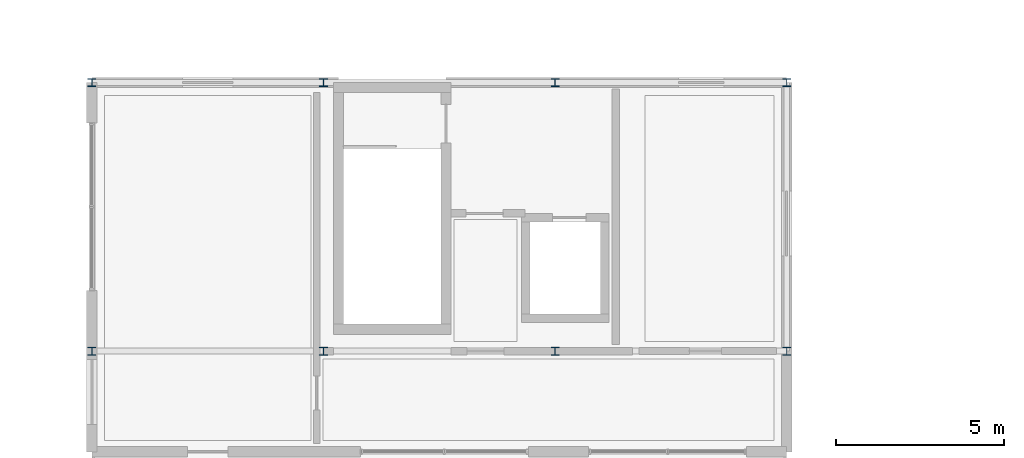
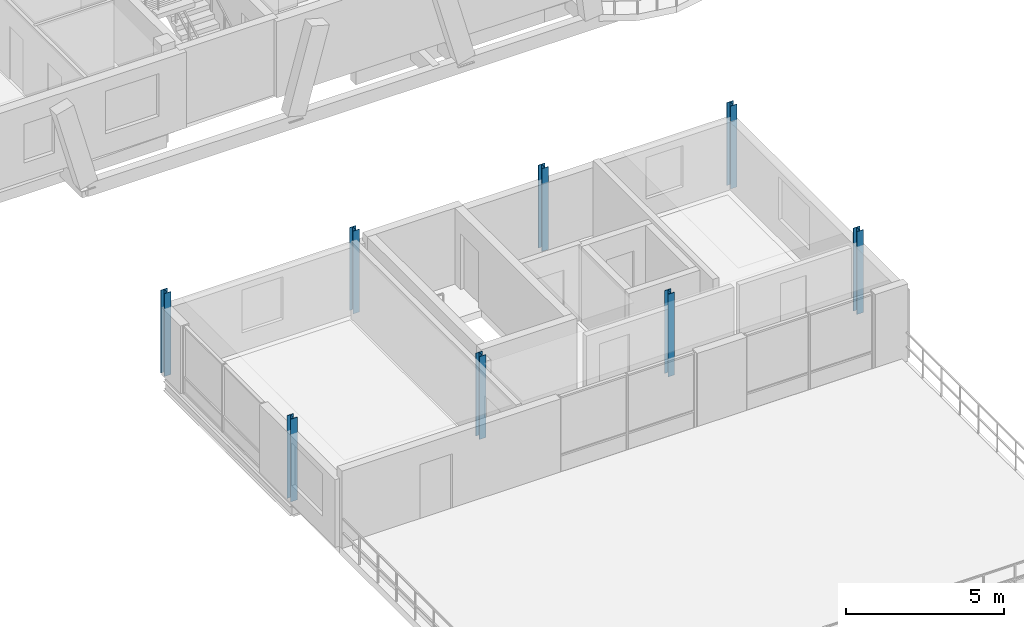
# One storey, part 6 of 109: 8 columns.
"""IFC4 building model written with IfcOpenShell, lengths in metres."""

from ifc_helpers import new_model, si_unit, direction, frame, origin, origin_2d, place, context, subcontext, project, spatial, i_section, extrude, material, material_profile, profile_set, type_object, element, save


model = new_model("IFC4")

# Units and contexts
model_context = context("Model", 3, precision=1e-05, world=origin(), true_north=direction((0.0, 1.0)))
body_context = subcontext(model_context, "Body", "Model", "MODEL_VIEW")
ifc_project = project(units=[si_unit("LENGTHUNIT", "METRE"), si_unit("AREAUNIT", "SQUARE_METRE"), si_unit("VOLUMEUNIT", "CUBIC_METRE"), si_unit("PLANEANGLEUNIT", "RADIAN"), si_unit("MASSUNIT", "GRAM", prefix="KILO")], contexts=[model_context])

# Site, building, storey
site_placement = place(None, origin())
site = spatial("IfcSite", under=ifc_project, at=site_placement, CompositionType="ELEMENT")
building_placement = place(site_placement, origin())
building = spatial("IfcBuilding", under=site, at=building_placement, Name="Zavelmont Quarter", CompositionType="ELEMENT")
storey_placement = place(building_placement, frame((0.0, 0.0, 8.0)))
storey = spatial("IfcBuildingStorey", under=building, at=storey_placement, Name="L02", CompositionType="ELEMENT", Elevation=8.0)

# Columns
ifc_material = material(Name="Steel S355", Category="steel")
ifc_material_profile = material_profile(ifc_material, i_section(OverallWidth=0.239990234375, OverallDepth=0.239990234375, WebThickness=0.010009765625, FlangeThickness=0.01708984375, at=origin_2d()), Name="HEB 240")
ifc_profile_set = profile_set([ifc_material_profile], Name="Steel S355")
column_type = type_object("IfcColumnType", Name="CL11", PredefinedType="COLUMN", material=ifc_profile_set)
for number, where, z_axis, x_axis, name in (
    (1, (0.0, 78.0, 0.0), (0.0, 0.0, 1.0), (1.0, 0.0, 0.0), "L02 column CL11 at 1/M"),
    (2, (0.0, 86.0, 0.0), (0.0, 0.0, 1.0), (1.0, 0.0, 0.0), "L02 column CL11 at 1/N"),
    (3, (6.89990234375, 78.0, 0.0), (0.0, 0.0, 1.0), (1.0, 0.0, 0.0), "L02 column CL11 at 2/M"),
    (4, (6.89990234375, 86.0, 0.0), (0.0, 0.0, 1.0), (1.0, 0.0, 0.0), "L02 column CL11 at 2/N"),
    (5, (13.800048828125, 78.0, 0.0), (0.0, 0.0, 1.0), (1.0, 0.0, 0.0), "L02 column CL11 at 3/M"),
    (6, (13.800048828125, 86.0, 0.0), (0.0, 0.0, 1.0), (1.0, 0.0, 0.0), "L02 column CL11 at 3/N"),
    (7, (20.699951171875, 78.0, 0.0), (0.0, 0.0, 1.0), (1.0, 0.0, 0.0), "L02 column CL11 at 4/M"),
    (8, (20.699951171875, 86.0, 0.0), (0.0, 0.0, 1.0), (1.0, 0.0, 0.0), "L02 column CL11 at 4/N"),
):
    element("IfcColumn", number, at=place(storey_placement, frame(where, z_axis=z_axis, x_axis=x_axis)), inside=storey, type_object=column_type, Name=name, PredefinedType="COLUMN", context=body_context, shape_type="SweptSolid", body=[
        extrude(i_section(OverallWidth=0.239990234375, OverallDepth=0.239990234375, WebThickness=0.010009765625, FlangeThickness=0.01708984375, at=origin_2d()), origin(), (0.0, 0.0, 1.0), 3.199951171875),
    ])

save(model, "model.ifc")
